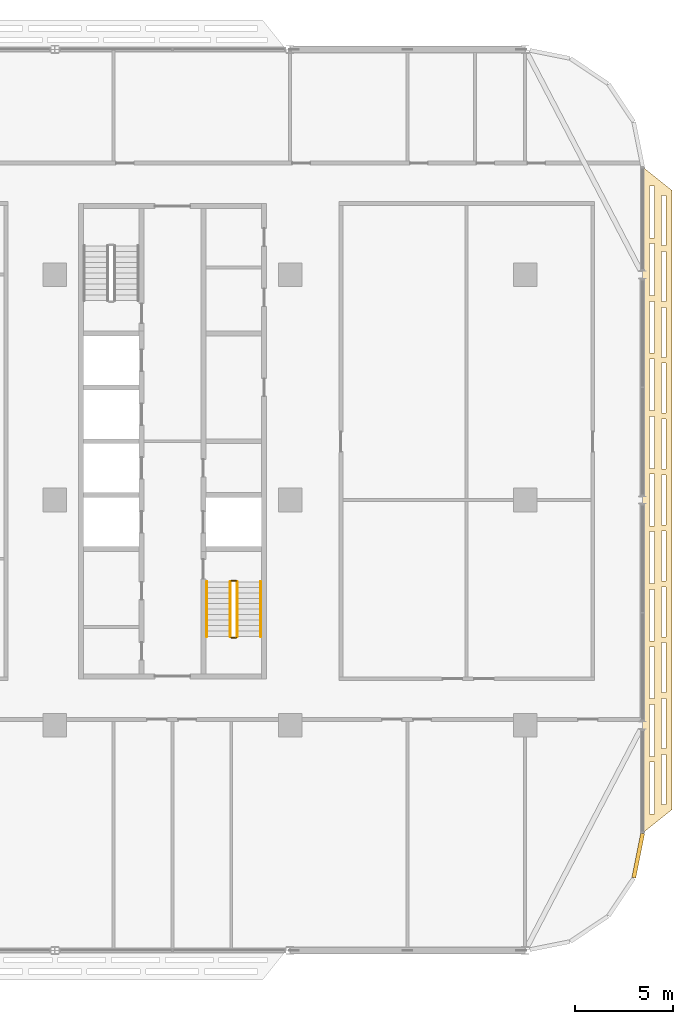
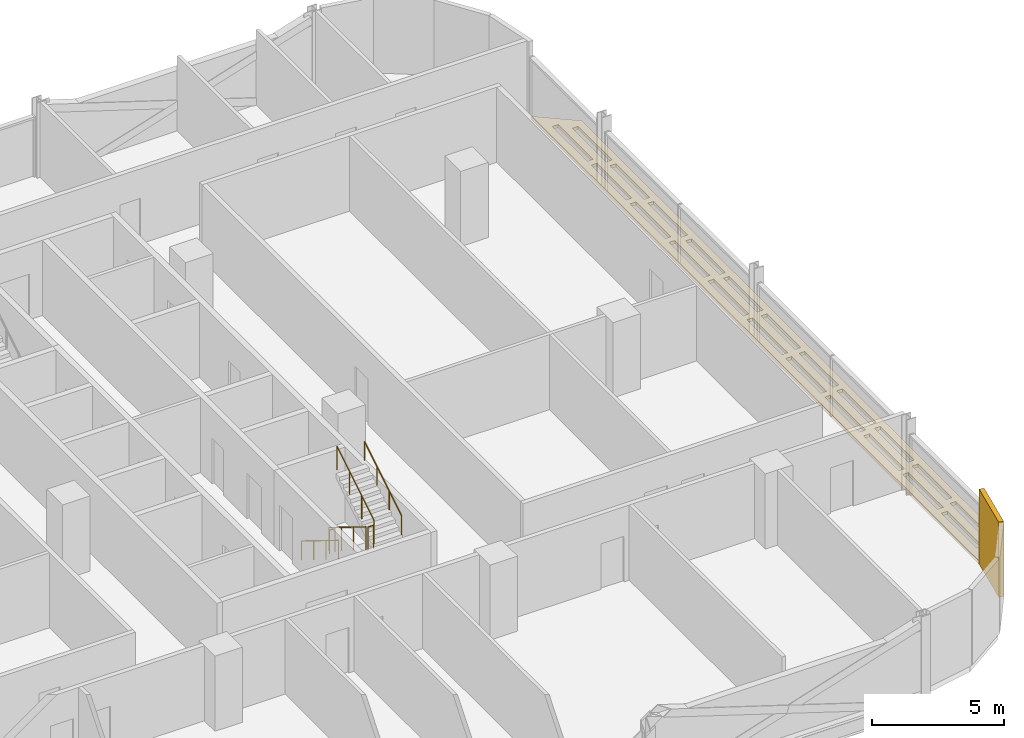
# One storey, part 26 of 27: 6 railings, 2 coverings.
"""IFC4 building model written with IfcOpenShell, lengths in metres."""

import ifcopenshell
import ifcopenshell.guid

model = None  # the IFC model being written
_history = None  # IfcOwnerHistory: only IFC2X3 demands one
_inside = {}  # id of a spatial element -> (the spatial element, [elements in it])
_under = {}  # id of a project, library or spatial element -> (it, [spatial elements below it])
_declared = {}  # id of a project -> (the project, [libraries it declares])
_typed = {}  # id of a type object -> (the type object, [elements of that type])
_made_of = {}  # id of a material, layer set ... -> (it, [elements and type objects made of it])


def new_model(schema):
    """Start an empty IFC model of exactly this schema.

    Asked for "IFC4X3", IfcOpenShell would pick the latest addendum, in which some entities
    have other attributes; the version numbers below select the first issue.
    IFC2X3 requires an IfcOwnerHistory on every rooted entity: one is made here for all.
    """
    global model, _history
    if schema == "IFC4X3":
        model = ifcopenshell.file(schema_version=(4, 3, 0, 0))
    else:
        model = ifcopenshell.file(schema=schema)
    _inside.clear()
    _under.clear()
    _declared.clear()
    _typed.clear()
    _made_of.clear()
    _history = None
    if model.schema == "IFC2X3":
        org = make("IfcOrganization", Name="unknown")
        user = make(
            "IfcPersonAndOrganization",
            ThePerson=make("IfcPerson", FamilyName="unknown"),
            TheOrganization=org,
        )
        app = make(
            "IfcApplication",
            ApplicationDeveloper=org,
            Version="unknown",
            ApplicationFullName="unknown",
            ApplicationIdentifier="unknown",
        )
        _history = make(
            "IfcOwnerHistory",
            OwningUser=user,
            OwningApplication=app,
            ChangeAction="ADDED",
            CreationDate=0,
        )
    return model


def make(cls, **values):
    """One entity of the class cls with the attributes given. An attribute that is None is left unset."""
    return model.create_entity(
        cls, **{name: value for name, value in values.items() if value is not None}
    )


def rooted(cls, **values):
    """An entity with a GlobalId (a new one), such as an element, a storey or a relation."""
    return make(cls, GlobalId=ifcopenshell.guid.new(), OwnerHistory=_history, **values)


def si_unit(unit_type, name, prefix=None):
    """IfcSIUnit, for example si_unit("LENGTHUNIT", "METRE", prefix="MILLI")."""
    return make("IfcSIUnit", UnitType=unit_type, Prefix=prefix, Name=name)


def assignment(units):
    """IfcUnitAssignment: the units of a project."""
    return None if units is None else make("IfcUnitAssignment", Units=units)


def point(xyz):
    """IfcCartesianPoint."""
    return None if xyz is None else make("IfcCartesianPoint", Coordinates=xyz)


def direction(xyz):
    """IfcDirection."""
    return None if xyz is None else make("IfcDirection", DirectionRatios=xyz)


def frame(location, z_axis=None, x_axis=None):
    """IfcAxis2Placement3D, a coordinate frame: its origin and axes. An axis left out is left unset."""
    return make(
        "IfcAxis2Placement3D",
        Location=point(location),
        Axis=direction(z_axis),
        RefDirection=direction(x_axis),
    )


def frame_2d(location, x_axis=None):
    """IfcAxis2Placement2D, a coordinate frame in the plane: its origin and x axis."""
    return make(
        "IfcAxis2Placement2D", Location=point(location), RefDirection=direction(x_axis)
    )


def origin():
    """The frame at (0, 0, 0) with its axes left unset."""
    return frame((0.0, 0.0, 0.0))


def origin_2d():
    """The frame at (0, 0) in the plane with its x axis left unset."""
    return frame_2d((0.0, 0.0))


def place(relative_to, where):
    """IfcLocalPlacement: puts the frame where relative to a parent placement (None: the world)."""
    return make(
        "IfcLocalPlacement", PlacementRelTo=relative_to, RelativePlacement=where
    )


def context(
    kind, dimensions, precision=None, world=None, true_north=None, identifier=None
):
    """IfcGeometricRepresentationContext, for example the 3D "Model" context."""
    return make(
        "IfcGeometricRepresentationContext",
        ContextIdentifier=identifier,
        ContextType=kind,
        CoordinateSpaceDimension=dimensions,
        Precision=precision,
        WorldCoordinateSystem=world,
        TrueNorth=true_north,
    )


def subcontext(parent, identifier, kind, view, scale=None):
    """IfcGeometricRepresentationSubContext, for example "Body" below "Model"."""
    return make(
        "IfcGeometricRepresentationSubContext",
        ContextIdentifier=identifier,
        ContextType=kind,
        ParentContext=parent,
        TargetScale=scale,
        TargetView=view,
    )


def project(units=None, contexts=None):
    """IfcProject with its units and contexts."""
    return rooted(
        "IfcProject",
        Name="project",
        RepresentationContexts=contexts,
        UnitsInContext=assignment(units),
    )


def spatial(cls, under=None, at=None, **own):
    """A site, building, storey or space (cls), placed at a placement, below another one or the project."""
    s = rooted(cls, ObjectPlacement=at, **own)
    if under is not None:
        _under.setdefault(under.id(), (under, []))[1].append(s)
    return s


def polyline(points):
    """IfcPolyline through the points."""
    return make("IfcPolyline", Points=[point(p) for p in points])


def profile(cls, at=None, kind="AREA", **sizes):
    """A parametric profile (cls). Its sizes go by their IFC names, for example OverallWidth=200.0."""
    return make(cls, ProfileType=kind, Position=at, **sizes)


def rectangle(**sizes):
    """IfcRectangleProfileDef."""
    return profile("IfcRectangleProfileDef", **sizes)


def circle(**sizes):
    """IfcCircleProfileDef."""
    return profile("IfcCircleProfileDef", **sizes)


def outline(outer, holes=None, kind="AREA"):
    """IfcArbitraryClosedProfileDef: a profile drawn as a closed curve; with holes, ...WithVoids."""
    if holes is None:
        return make("IfcArbitraryClosedProfileDef", ProfileType=kind, OuterCurve=outer)
    return make(
        "IfcArbitraryProfileDefWithVoids",
        ProfileType=kind,
        OuterCurve=outer,
        InnerCurves=holes,
    )


def extrude(swept, where, along, depth):
    """IfcExtrudedAreaSolid: the profile swept, set in the frame where, extruded along a direction by depth."""
    return make(
        "IfcExtrudedAreaSolid",
        SweptArea=swept,
        Position=where,
        ExtrudedDirection=direction(along),
        Depth=depth,
    )


def shape(context_of_items, identifier, shape_type, items):
    """IfcShapeRepresentation: the items that make up one representation, for example the "Body"."""
    return make(
        "IfcShapeRepresentation",
        ContextOfItems=context_of_items,
        RepresentationIdentifier=identifier,
        RepresentationType=shape_type,
        Items=items,
    )


def material(Name=None, Category=None):
    """IfcMaterial."""
    return make("IfcMaterial", Name=Name, Category=Category)


def layer(
    of_material, thickness, ventilated=None, Name=None, Category=None, Priority=None
):
    """IfcMaterialLayer: one layer of a wall or slab, of a material (None: an air gap)."""
    return make(
        "IfcMaterialLayer",
        Material=of_material,
        LayerThickness=thickness,
        IsVentilated=ventilated,
        Name=Name,
        Category=Category,
        Priority=Priority,
    )


def layer_set(layers, Name=None):
    """IfcMaterialLayerSet."""
    return make("IfcMaterialLayerSet", MaterialLayers=layers, LayerSetName=Name)


def made_of(thing, what):
    """Note that an element or type object is made of a material, layer set ...; save() writes the relation."""
    if what is not None:
        _made_of.setdefault(what.id(), (what, []))[1].append(thing)
    return thing


def type_object(cls, material=None, **own):
    """A type object (cls), such as IfcWallType, which elements share."""
    return made_of(rooted(cls, **own), material)


def element(
    cls,
    number,
    at=None,
    inside=None,
    cuts=None,
    type_object=None,
    material=None,
    context=None,
    identifier="Body",
    shape_type=None,
    held_by="IfcProductDefinitionShape",
    body=None,
    shapes=None,
    **own,
):
    """One element of the class cls, such as IfcWall. Its Tag is "e" and its number.

    at: its placement. inside: the storey or other place that contains it. cuts: it is an
    opening in that element (IfcRelVoidsElement). A single representation is given by context,
    identifier, shape_type and body (its items); several are given by shapes. held_by: the class
    of the entity that holds the representations. save() writes the other relations.
    """
    e = rooted(cls, Tag="e%d" % number, ObjectPlacement=at, **own)
    if body is not None:
        shapes = [shape(context, identifier, shape_type, body)]
    if shapes is not None:
        e.Representation = make(held_by, Representations=shapes)
    if inside is not None:
        _inside.setdefault(inside.id(), (inside, []))[1].append(e)
    if cuts is not None:
        rooted(
            "IfcRelVoidsElement", RelatingBuildingElement=cuts, RelatedOpeningElement=e
        )
    if type_object is not None:
        _typed.setdefault(type_object.id(), (type_object, []))[1].append(e)
    return made_of(e, material)


def aggregate(whole, parts):
    """IfcRelAggregates: a whole, such as a stair, and the parts it consists of."""
    return rooted("IfcRelAggregates", RelatingObject=whole, RelatedObjects=parts)


def save(model, path):
    """Write the relations noted so far, then the file.

    IfcRelAggregates (storeys below a building ...), IfcRelContainedInSpatialStructure (elements
    in a storey), IfcRelDefinesByType, IfcRelAssociatesMaterial and IfcRelDeclares: one each for
    every whole, place, type object, material and project.
    """
    for whole, parts in _under.values():
        aggregate(whole, parts)
    for where, things in _inside.values():
        rooted(
            "IfcRelContainedInSpatialStructure",
            RelatedElements=things,
            RelatingStructure=where,
        )
    for kind, things in _typed.values():
        rooted("IfcRelDefinesByType", RelatedObjects=things, RelatingType=kind)
    for what, things in _made_of.values():
        rooted("IfcRelAssociatesMaterial", RelatedObjects=things, RelatingMaterial=what)
    for by, libraries in _declared.values():
        rooted("IfcRelDeclares", RelatingContext=by, RelatedDefinitions=libraries)
    model.write(path)


model = new_model("IFC4")

# Units and contexts
model_context = context("Model", 3, precision=1e-05, world=origin(), true_north=direction((0.0, 1.0)))
body_context = subcontext(model_context, "Body", "Model", "MODEL_VIEW")
ifc_project = project(units=[si_unit("LENGTHUNIT", "METRE"), si_unit("AREAUNIT", "SQUARE_METRE"), si_unit("VOLUMEUNIT", "CUBIC_METRE"), si_unit("PLANEANGLEUNIT", "RADIAN"), si_unit("MASSUNIT", "GRAM", prefix="KILO")], contexts=[model_context])

# Site, building, storey
site_placement = place(None, origin())
site = spatial("IfcSite", under=ifc_project, at=site_placement, CompositionType="ELEMENT")
building_placement = place(site_placement, origin())
building = spatial("IfcBuilding", under=site, at=building_placement, Name="Mahtab Terrace Research Tower", CompositionType="ELEMENT")
storey_placement = place(building_placement, frame((0.0, 0.0, 182.0)))
storey = spatial("IfcBuildingStorey", under=building, at=storey_placement, Name="L43", CompositionType="ELEMENT", Elevation=182.0)

# Coverings
ifc_material_1 = material(Name="Black aluminium cladding panel", Category="aluminium")
ifc_layer_1 = layer(ifc_material_1, 0.199951171875)
ifc_layer_set_1 = layer_set([ifc_layer_1], Name="Black metal corner cladding 200")
covering_type_1 = type_object("IfcCoveringType", Name="Black metal corner cladding 200", PredefinedType="CLADDING", material=ifc_layer_set_1)
covering_1_placement = place(storey_placement, frame((47.771484375, -18.14794921875, 0.0), z_axis=(0.0, 0.0, 1.0), x_axis=(0.195212442692, 0.980760981187, 0.0)))
element("IfcCovering", 1, at=covering_1_placement, inside=storey, type_object=covering_type_1, Name="Corner cladding L43 33", PredefinedType="CLADDING", context=body_context, shape_type="SweptSolid", body=[
    extrude(rectangle(XDim=2.30126953125, YDim=0.199951171875, at=origin_2d()), origin(), (0.0, 0.0, 1.0), 3.4599609375),
])
ifc_material_2 = material(Name="Black anodised aluminium", Category="aluminium")
ifc_layer_2 = layer(ifc_material_2, 0.14990234375)
ifc_layer_set_2 = layer_set([ifc_layer_2], Name="Horizontal sunshade band")
covering_type_2 = type_object("IfcCoveringType", Name="Horizontal sunshade band", PredefinedType="CLADDING", material=ifc_layer_set_2)
covering_2_placement = place(storey_placement, frame((0.0, 0.0, -0.14990234375)))
element("IfcCovering", 2, at=covering_2_placement, inside=storey, type_object=covering_type_2, Name="Sunshade band L43 34", PredefinedType="CLADDING", context=body_context, shape_type="SweptSolid", body=[
    extrude(outline(polyline([(48.0, -17.0), (48.0, 17.0), (49.5, 15.800048828125), (49.5, -15.800048828125), (48.0, -17.0)]), holes=[polyline([(48.35009765625, -16.02001953125), (48.35009765625, -13.3798828125), (48.60009765625, -13.3798828125), (48.60009765625, -16.02001953125), (48.35009765625, -16.02001953125)]), polyline([(48.35009765625, -13.080078125), (48.35009765625, -10.43994140625), (48.60009765625, -10.43994140625), (48.60009765625, -13.080078125), (48.35009765625, -13.080078125)]), polyline([(48.35009765625, -10.139892578125), (48.35009765625, -7.5), (48.60009765625, -7.5), (48.60009765625, -10.139892578125), (48.35009765625, -10.139892578125)]), polyline([(48.35009765625, -7.199951171875), (48.35009765625, -4.56005859375), (48.60009765625, -4.56005859375), (48.60009765625, -7.199951171875), (48.35009765625, -7.199951171875)]), polyline([(48.35009765625, -4.260009765625), (48.35009765625, -1.6201171875), (48.60009765625, -1.6201171875), (48.60009765625, -4.260009765625), (48.35009765625, -4.260009765625)]), polyline([(48.35009765625, -1.320068359375), (48.35009765625, 1.320068359375), (48.60009765625, 1.320068359375), (48.60009765625, -1.320068359375), (48.35009765625, -1.320068359375)]), polyline([(48.35009765625, 1.6201171875), (48.35009765625, 4.260009765625), (48.60009765625, 4.260009765625), (48.60009765625, 1.6201171875), (48.35009765625, 1.6201171875)]), polyline([(48.35009765625, 4.56005859375), (48.35009765625, 7.199951171875), (48.60009765625, 7.199951171875), (48.60009765625, 4.56005859375), (48.35009765625, 4.56005859375)]), polyline([(48.35009765625, 7.5), (48.35009765625, 10.139892578125), (48.60009765625, 10.139892578125), (48.60009765625, 7.5), (48.35009765625, 7.5)]), polyline([(48.35009765625, 10.43994140625), (48.35009765625, 13.080078125), (48.60009765625, 13.080078125), (48.60009765625, 10.43994140625), (48.35009765625, 10.43994140625)]), polyline([(48.35009765625, 13.3798828125), (48.35009765625, 16.02001953125), (48.60009765625, 16.02001953125), (48.60009765625, 13.3798828125), (48.35009765625, 13.3798828125)]), polyline([(48.949951171875, -15.5400390625), (48.949951171875, -12.987060546875), (49.199951171875, -12.987060546875), (49.199951171875, -15.5400390625), (48.949951171875, -15.5400390625)]), polyline([(48.949951171875, -12.68701171875), (48.949951171875, -10.135009765625), (49.199951171875, -10.135009765625), (49.199951171875, -12.68701171875), (48.949951171875, -12.68701171875)]), polyline([(48.949951171875, -9.8349609375), (48.949951171875, -7.281982421875), (49.199951171875, -7.281982421875), (49.199951171875, -9.8349609375), (48.949951171875, -9.8349609375)]), polyline([(48.949951171875, -6.98193359375), (48.949951171875, -4.428955078125), (49.199951171875, -4.428955078125), (49.199951171875, -6.98193359375), (48.949951171875, -6.98193359375)]), polyline([(48.949951171875, -4.12890625), (48.949951171875, -1.575927734375), (49.199951171875, -1.575927734375), (49.199951171875, -4.12890625), (48.949951171875, -4.12890625)]), polyline([(48.949951171875, -1.27587890625), (48.949951171875, 1.27587890625), (49.199951171875, 1.27587890625), (49.199951171875, -1.27587890625), (48.949951171875, -1.27587890625)]), polyline([(48.949951171875, 1.575927734375), (48.949951171875, 4.12890625), (49.199951171875, 4.12890625), (49.199951171875, 1.575927734375), (48.949951171875, 1.575927734375)]), polyline([(48.949951171875, 4.428955078125), (48.949951171875, 6.98193359375), (49.199951171875, 6.98193359375), (49.199951171875, 4.428955078125), (48.949951171875, 4.428955078125)]), polyline([(48.949951171875, 7.281982421875), (48.949951171875, 9.8349609375), (49.199951171875, 9.8349609375), (49.199951171875, 7.281982421875), (48.949951171875, 7.281982421875)]), polyline([(48.949951171875, 10.135009765625), (48.949951171875, 12.68701171875), (49.199951171875, 12.68701171875), (49.199951171875, 10.135009765625), (48.949951171875, 10.135009765625)]), polyline([(48.949951171875, 12.987060546875), (48.949951171875, 15.5400390625), (49.199951171875, 15.5400390625), (49.199951171875, 12.987060546875), (48.949951171875, 12.987060546875)])]), origin(), (0.0, 0.0, 1.0), 0.14990234375),
])

# Railings
ifc_material_3 = material(Name="Stainless steel AISI 304", Category="steel")
railing_type_1 = type_object("IfcRailingType", Name="Stair guard 1100", PredefinedType="GUARDRAIL", material=ifc_material_3)
railing_1_placement = place(storey_placement, frame((26.949951171875, -4.175048828125, 0.172607421875)))
element("IfcRailing", 3, at=railing_1_placement, inside=storey, type_object=railing_type_1, Name="L43 ST4 stair guard 1", PredefinedType="GUARDRAIL", context=body_context, shape_type="SweptSolid", body=[
    extrude(circle(Radius=0.02392578125, at=origin_2d()), frame((0.0, 0.0, 1.076171875), z_axis=(0.0, -0.851089632645, 0.525020415988), x_axis=(1.0, 0.0, 0.0)), (0.0, 0.0, 1.0), 3.2900390625),
    extrude(circle(Radius=0.02099609375, at=origin_2d()), origin(), (0.0, 0.0, 1.0), 1.052001953125),
    extrude(circle(Radius=0.02099609375, at=origin_2d()), frame((0.0, -0.933349609375, 0.57568359375)), (0.0, 0.0, 1.0), 1.052001953125),
    extrude(circle(Radius=0.02099609375, at=origin_2d()), frame((0.0, -1.86669921875, 1.151611328125)), (0.0, 0.0, 1.0), 1.052001953125),
    extrude(circle(Radius=0.02099609375, at=origin_2d()), frame((0.0, -2.800048828125, 1.727294921875)), (0.0, 0.0, 1.0), 1.052001953125),
])
railing_2_placement = place(storey_placement, frame((27.0, -7.02490234375, 1.89990234375)))
element("IfcRailing", 4, at=railing_2_placement, inside=storey, type_object=railing_type_1, Name="L43 ST4 stair guard 2", PredefinedType="GUARDRAIL", context=body_context, shape_type="SweptSolid", body=[
    extrude(circle(Radius=0.02392578125, at=origin_2d()), frame((0.0, 0.0, 1.076171875), z_axis=(1.0, 0.0, 0.0), x_axis=(0.0, 1.0, 0.0)), (0.0, 0.0, 1.0), 0.25),
    extrude(circle(Radius=0.02099609375, at=origin_2d()), origin(), (0.0, 0.0, 1.0), 1.052001953125),
    extrude(circle(Radius=0.02099609375, at=origin_2d()), frame((0.25, 0.0, 0.0)), (0.0, 0.0, 1.0), 1.052001953125),
])
railing_3_placement = place(storey_placement, frame((27.300048828125, -6.97509765625, 2.07275390625)))
element("IfcRailing", 5, at=railing_3_placement, inside=storey, type_object=railing_type_1, Name="L43 ST4 stair guard 3", PredefinedType="GUARDRAIL", context=body_context, shape_type="SweptSolid", body=[
    extrude(circle(Radius=0.02392578125, at=origin_2d()), frame((0.0, 0.0, 1.076171875), z_axis=(0.0, 0.851089632645, 0.525020415988), x_axis=(-1.0, 0.0, 0.0)), (0.0, 0.0, 1.0), 3.2900390625),
    extrude(circle(Radius=0.02099609375, at=origin_2d()), origin(), (0.0, 0.0, 1.0), 1.052001953125),
    extrude(circle(Radius=0.02099609375, at=origin_2d()), frame((0.0, 0.933349609375, 0.57568359375)), (0.0, 0.0, 1.0), 1.052001953125),
    extrude(circle(Radius=0.02099609375, at=origin_2d()), frame((0.0, 1.86669921875, 1.151611328125)), (0.0, 0.0, 1.0), 1.052001953125),
    extrude(circle(Radius=0.02099609375, at=origin_2d()), frame((0.0, 2.800048828125, 1.727294921875)), (0.0, 0.0, 1.0), 1.052001953125),
])
railing_4_placement = place(storey_placement, frame((27.0, -4.125, 0.0)))
element("IfcRailing", 6, at=railing_4_placement, inside=storey, type_object=railing_type_1, Name="L43 ST4 stair guard 4", PredefinedType="GUARDRAIL", context=body_context, shape_type="SweptSolid", body=[
    extrude(circle(Radius=0.02392578125, at=origin_2d()), frame((0.0, 0.0, 1.076171875), z_axis=(1.0, 0.0, 0.0), x_axis=(0.0, 1.0, 0.0)), (0.0, 0.0, 1.0), 0.25),
    extrude(circle(Radius=0.02099609375, at=origin_2d()), origin(), (0.0, 0.0, 1.0), 1.052001953125),
    extrude(circle(Radius=0.02099609375, at=origin_2d()), frame((0.25, 0.0, 0.0)), (0.0, 0.0, 1.0), 1.052001953125),
])
railing_type_2 = type_object("IfcRailingType", Name="Stair handrail 900", PredefinedType="HANDRAIL", material=ifc_material_3)
railing_5_placement = place(storey_placement, frame((25.75, -4.175048828125, 0.172607421875)))
element("IfcRailing", 7, at=railing_5_placement, inside=storey, type_object=railing_type_2, Name="L43 ST4 stair handrail 1", PredefinedType="HANDRAIL", context=body_context, shape_type="SweptSolid", body=[
    extrude(circle(Radius=0.02392578125, at=origin_2d()), frame((0.0, 0.0, 0.8759765625), z_axis=(0.0, -0.851089632645, 0.525020415988), x_axis=(1.0, 0.0, 0.0)), (0.0, 0.0, 1.0), 3.2900390625),
    extrude(circle(Radius=0.02099609375, at=origin_2d()), origin(), (0.0, 0.0, 1.0), 0.851806640625),
    extrude(circle(Radius=0.02099609375, at=origin_2d()), frame((0.0, -0.933349609375, 0.57568359375)), (0.0, 0.0, 1.0), 0.851806640625),
    extrude(circle(Radius=0.02099609375, at=origin_2d()), frame((0.0, -1.86669921875, 1.151611328125)), (0.0, 0.0, 1.0), 0.851806640625),
    extrude(circle(Radius=0.02099609375, at=origin_2d()), frame((0.0, -2.800048828125, 1.727294921875)), (0.0, 0.0, 1.0), 0.851806640625),
])
railing_6_placement = place(storey_placement, frame((28.5, -6.97509765625, 2.07275390625)))
element("IfcRailing", 8, at=railing_6_placement, inside=storey, type_object=railing_type_2, Name="L43 ST4 stair handrail 2", PredefinedType="HANDRAIL", context=body_context, shape_type="SweptSolid", body=[
    extrude(circle(Radius=0.02392578125, at=origin_2d()), frame((0.0, 0.0, 0.8759765625), z_axis=(0.0, 0.851089632645, 0.525020415988), x_axis=(-1.0, 0.0, 0.0)), (0.0, 0.0, 1.0), 3.2900390625),
    extrude(circle(Radius=0.02099609375, at=origin_2d()), origin(), (0.0, 0.0, 1.0), 0.851806640625),
    extrude(circle(Radius=0.02099609375, at=origin_2d()), frame((0.0, 0.933349609375, 0.57568359375)), (0.0, 0.0, 1.0), 0.851806640625),
    extrude(circle(Radius=0.02099609375, at=origin_2d()), frame((0.0, 1.86669921875, 1.151611328125)), (0.0, 0.0, 1.0), 0.851806640625),
    extrude(circle(Radius=0.02099609375, at=origin_2d()), frame((0.0, 2.800048828125, 1.727294921875)), (0.0, 0.0, 1.0), 0.851806640625),
])

save(model, "model.ifc")
